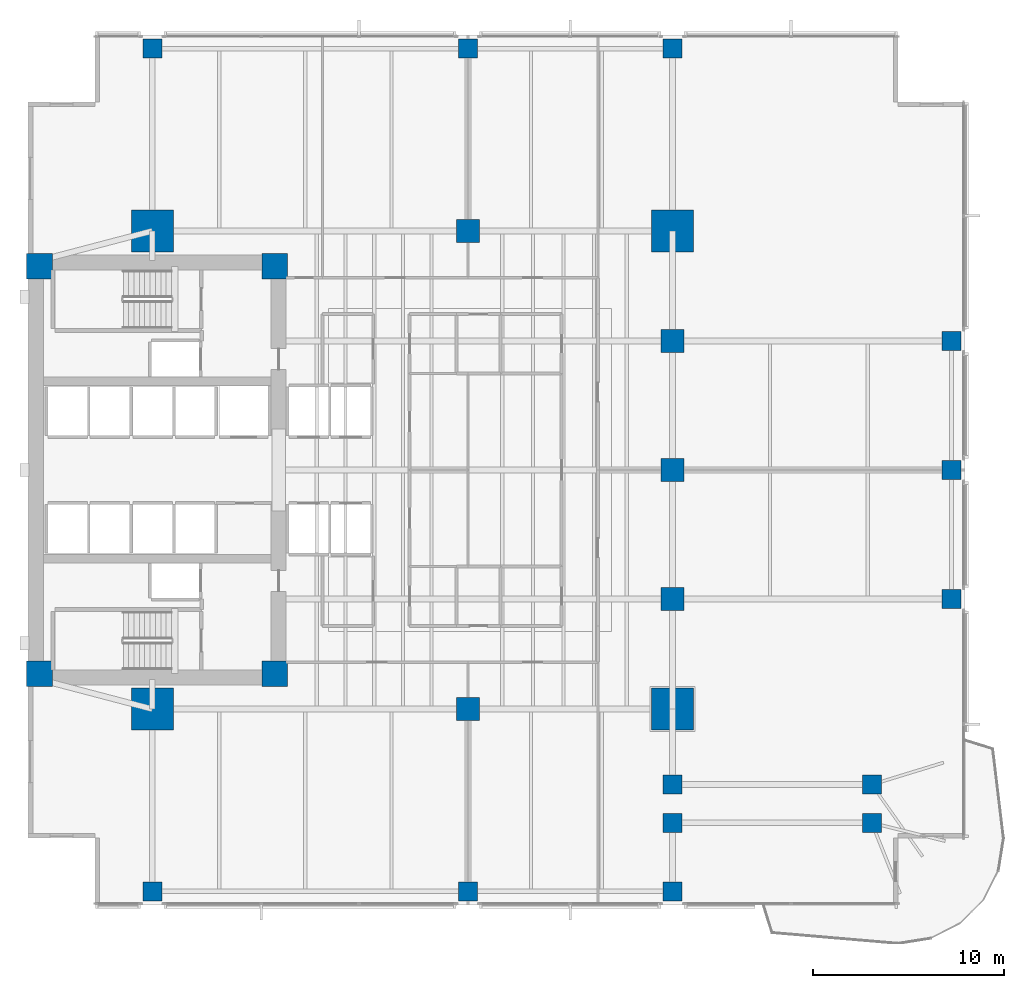
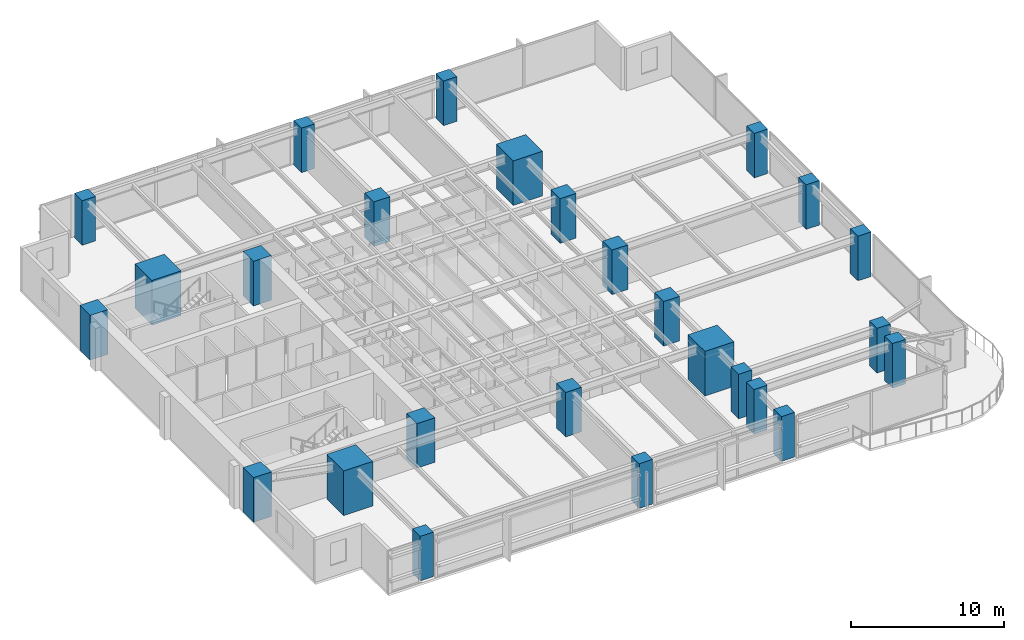
# One storey, part 1 of 15: 26 columns.
"""IFC4 building model written with IfcOpenShell, lengths in metres."""

from ifc_helpers import new_model, si_unit, direction, frame, origin, origin_2d, place, context, subcontext, project, spatial, rectangle, extrude, material, material_profile, profile_set, type_object, element, save


model = new_model("IFC4")

# Units and contexts
model_context = context("Model", 3, precision=1e-05, world=origin(), true_north=direction((0.0, 1.0)))
body_context = subcontext(model_context, "Body", "Model", "MODEL_VIEW")
ifc_project = project(units=[si_unit("LENGTHUNIT", "METRE"), si_unit("AREAUNIT", "SQUARE_METRE"), si_unit("VOLUMEUNIT", "CUBIC_METRE"), si_unit("PLANEANGLEUNIT", "RADIAN"), si_unit("MASSUNIT", "GRAM", prefix="KILO")], contexts=[model_context])

# Site, building, storey
site_placement = place(None, origin())
site = spatial("IfcSite", under=ifc_project, at=site_placement, CompositionType="ELEMENT")
building_placement = place(site_placement, origin())
building = spatial("IfcBuilding", under=site, at=building_placement, Name="Kinhvarn Gate Tower", CompositionType="ELEMENT")
storey_placement = place(building_placement, frame((0.0, 0.0, 43.35009765625)))
storey = spatial("IfcBuildingStorey", under=building, at=storey_placement, Name="L10", CompositionType="ELEMENT", Elevation=43.35009765625)

# Columns
ifc_material_1 = material(Name="Concrete C70/85", Category="concrete")
ifc_material_profile_1 = material_profile(ifc_material_1, rectangle(XDim=2.199951171875, YDim=2.199951171875, at=origin_2d()), Name="RC 2200x2200")
ifc_profile_set_1 = profile_set([ifc_material_profile_1], Name="Concrete C70/85")
column_type_1 = type_object("IfcColumnType", Name="COL-MC-2200", PredefinedType="COLUMN", material=ifc_profile_set_1)
for number, where, z_axis, x_axis, name in (
    (1, (11.0, 12.75, 0.0), (0.0, 0.0, 1.0), (1.0, 0.0, 0.0), "Column MC1-L10 (MC-22)"),
    (2, (11.0, 37.75, 0.0), (0.0, 0.0, 1.0), (1.0, 0.0, 0.0), "Column MC4-L10 (MC-22)"),
    (3, (38.199951171875, 12.75, 0.0), (0.0, 0.0, 1.0), (1.0, 0.0, 0.0), "Column MC2-L10 (MC-22)"),
    (4, (38.199951171875, 37.75, 0.0), (0.0, 0.0, 1.0), (1.0, 0.0, 0.0), "Column MC3-L10 (MC-22)"),
):
    element("IfcColumn", number, at=place(storey_placement, frame(where, z_axis=z_axis, x_axis=x_axis)), inside=storey, type_object=column_type_1, Name=name, PredefinedType="COLUMN", context=body_context, shape_type="SweptSolid", body=[
        extrude(rectangle(XDim=2.199951171875, YDim=2.199951171875, at=origin_2d()), origin(), (0.0, 0.0, 1.0), 3.5498046875),
    ])
ifc_material_2 = material(Name="Concrete C60/75", Category="concrete")
ifc_material_profile_2 = material_profile(ifc_material_2, rectangle(XDim=1.0, YDim=1.0, at=origin_2d()), Name="RC 1000x1000")
ifc_profile_set_2 = profile_set([ifc_material_profile_2], Name="Concrete C60/75")
column_type_2 = type_object("IfcColumnType", Name="COL-RC-1000", PredefinedType="COLUMN", material=ifc_profile_set_2)
for number, where, z_axis, x_axis, name in (
    (5, (48.6201171875, 6.800048828125, 0.0), (0.0, 0.0, 1.0), (1.0, 0.0, 0.0), "Column CS-SE1-L10 (C-100)"),
    (6, (38.199951171875, 6.800048828125, 0.0), (0.0, 0.0, 1.0), (1.0, 0.0, 0.0), "Column CS-ANC68-L10 (C-100)"),
    (7, (38.199951171875, 8.800048828125, 0.0), (0.0, 0.0, 1.0), (1.0, 0.0, 0.0), "Column CS-ANC88-L10 (C-100)"),
    (8, (48.6201171875, 8.800048828125, 0.0), (0.0, 0.0, 1.0), (1.0, 0.0, 0.0), "Column CS-SE1B-L10 (C-100)"),
    (9, (52.780029296875, 18.5, 0.0), (0.0, 0.0, 1.0), (1.0, 0.0, 0.0), "Column CE-1-L10 (C-100)"),
    (10, (52.780029296875, 25.25, 0.0), (0.0, 0.0, 1.0), (1.0, 0.0, 0.0), "Column CE-2-L10 (C-100)"),
    (11, (52.780029296875, 32.0, 0.0), (0.0, 0.0, 1.0), (1.0, 0.0, 0.0), "Column CE-3-L10 (C-100)"),
    (12, (11.0, 3.219970703125, 0.0), (0.0, 0.0, 1.0), (1.0, 0.0, 0.0), "Column CS-0-L10 (C-100)"),
    (13, (27.5, 3.219970703125, 0.0), (0.0, 0.0, 1.0), (1.0, 0.0, 0.0), "Column CS-1-L10 (C-100)"),
    (14, (38.199951171875, 3.219970703125, 0.0), (0.0, 0.0, 1.0), (1.0, 0.0, 0.0), "Column CS-2-L10 (C-100)"),
    (15, (11.0, 47.280029296875, 0.0), (0.0, 0.0, 1.0), (1.0, 0.0, 0.0), "Column CN-0-L10 (C-100)"),
    (16, (27.5, 47.280029296875, 0.0), (0.0, 0.0, 1.0), (1.0, 0.0, 0.0), "Column CN-1-L10 (C-100)"),
    (17, (38.199951171875, 47.280029296875, 0.0), (0.0, 0.0, 1.0), (1.0, 0.0, 0.0), "Column CN-2-L10 (C-100)"),
):
    element("IfcColumn", number, at=place(storey_placement, frame(where, z_axis=z_axis, x_axis=x_axis)), inside=storey, type_object=column_type_2, Name=name, PredefinedType="COLUMN", context=body_context, shape_type="SweptSolid", body=[
        extrude(rectangle(XDim=1.0, YDim=1.0, at=origin_2d()), origin(), (0.0, 0.0, 1.0), 3.5498046875),
    ])
ifc_material_profile_3 = material_profile(ifc_material_2, rectangle(XDim=1.199951171875, YDim=1.199951171875, at=origin_2d()), Name="RC 1200x1200")
ifc_profile_set_3 = profile_set([ifc_material_profile_3], Name="Concrete C60/75")
column_type_3 = type_object("IfcColumnType", Name="COL-RC-1200", PredefinedType="COLUMN", material=ifc_profile_set_3)
for number, where, z_axis, x_axis, name in (
    (18, (27.5, 12.75, 0.0), (0.0, 0.0, 1.0), (1.0, 0.0, 0.0), "Column SP27-S-L10 (C-120)"),
    (19, (27.5, 37.75, 0.0), (0.0, 0.0, 1.0), (1.0, 0.0, 0.0), "Column SP27-N-L10 (C-120)"),
    (20, (38.199951171875, 18.5, 0.0), (0.0, 0.0, 1.0), (1.0, 0.0, 0.0), "Column SP38-E1-L10 (C-120)"),
    (21, (38.199951171875, 25.25, 0.0), (0.0, 0.0, 1.0), (1.0, 0.0, 0.0), "Column SP38-E2-L10 (C-120)"),
    (22, (38.199951171875, 32.0, 0.0), (0.0, 0.0, 1.0), (1.0, 0.0, 0.0), "Column SP38-E3-L10 (C-120)"),
):
    element("IfcColumn", number, at=place(storey_placement, frame(where, z_axis=z_axis, x_axis=x_axis)), inside=storey, type_object=column_type_3, Name=name, PredefinedType="COLUMN", context=body_context, shape_type="SweptSolid", body=[
        extrude(rectangle(XDim=1.199951171875, YDim=1.199951171875, at=origin_2d()), origin(), (0.0, 0.0, 1.0), 3.5498046875),
    ])
ifc_material_profile_4 = material_profile(ifc_material_1, rectangle(XDim=1.35009765625, YDim=1.35009765625, at=origin_2d()), Name="RC 1350x1350")
ifc_profile_set_4 = profile_set([ifc_material_profile_4], Name="Concrete C70/85")
column_type_4 = type_object("IfcColumnType", Name="PIL-RC-1350", PredefinedType="PILASTER", material=ifc_profile_set_4)
for number, where, z_axis, x_axis, name in (
    (23, (5.10009765625, 14.60009765625, 0.0), (0.0, 0.0, 1.0), (1.0, 0.0, 0.0), "Column CC-SW-L10 (CP-135)"),
    (24, (5.10009765625, 35.89990234375, 0.0), (0.0, 0.0, 1.0), (1.0, 0.0, 0.0), "Column CC-NW-L10 (CP-135)"),
    (25, (17.39990234375, 14.60009765625, 0.0), (0.0, 0.0, 1.0), (1.0, 0.0, 0.0), "Column CC-SE-L10 (CP-135)"),
    (26, (17.39990234375, 35.89990234375, 0.0), (0.0, 0.0, 1.0), (1.0, 0.0, 0.0), "Column CC-NE-L10 (CP-135)"),
):
    element("IfcColumn", number, at=place(storey_placement, frame(where, z_axis=z_axis, x_axis=x_axis)), inside=storey, type_object=column_type_4, Name=name, PredefinedType="PILASTER", context=body_context, shape_type="SweptSolid", body=[
        extrude(rectangle(XDim=1.35009765625, YDim=1.35009765625, at=origin_2d()), origin(), (0.0, 0.0, 1.0), 3.5498046875),
    ])

save(model, "model.ifc")
